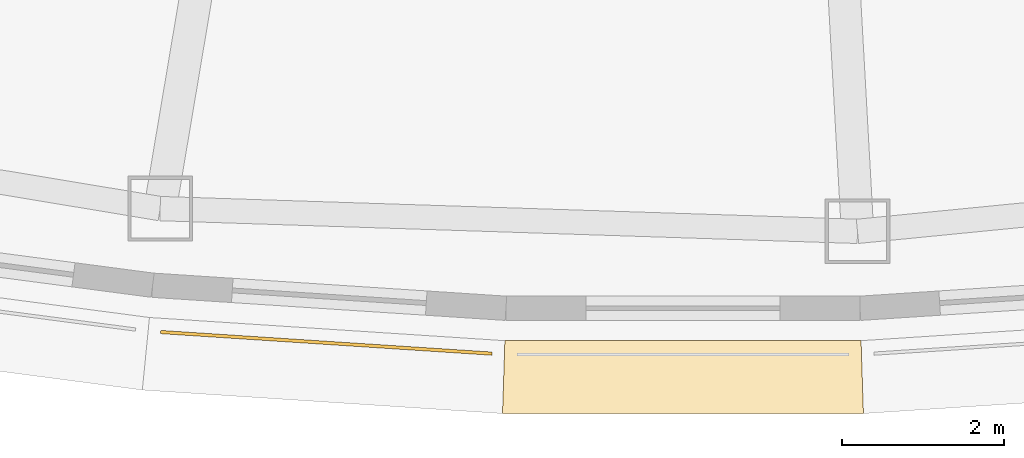
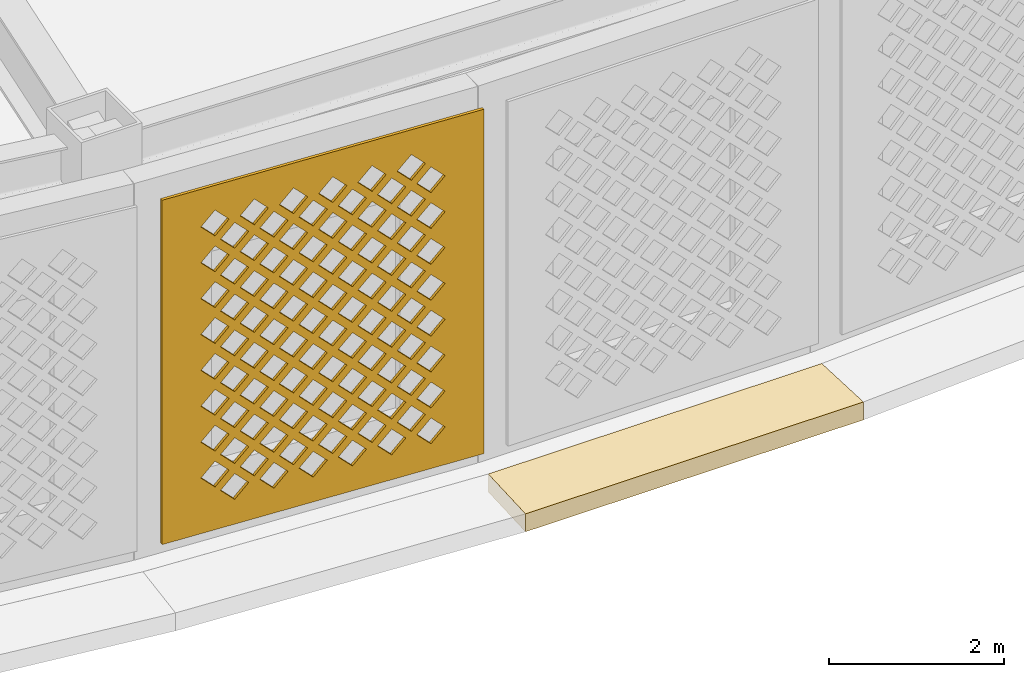
# One storey, part 51 of 69: 2 coverings.
"""IFC4 building model written with IfcOpenShell, lengths in metres."""

import ifcopenshell
import ifcopenshell.guid

model = None  # the IFC model being written
_history = None  # IfcOwnerHistory: only IFC2X3 demands one
_inside = {}  # id of a spatial element -> (the spatial element, [elements in it])
_under = {}  # id of a project, library or spatial element -> (it, [spatial elements below it])
_declared = {}  # id of a project -> (the project, [libraries it declares])
_typed = {}  # id of a type object -> (the type object, [elements of that type])
_made_of = {}  # id of a material, layer set ... -> (it, [elements and type objects made of it])


def new_model(schema):
    """Start an empty IFC model of exactly this schema.

    Asked for "IFC4X3", IfcOpenShell would pick the latest addendum, in which some entities
    have other attributes; the version numbers below select the first issue.
    IFC2X3 requires an IfcOwnerHistory on every rooted entity: one is made here for all.
    """
    global model, _history
    if schema == "IFC4X3":
        model = ifcopenshell.file(schema_version=(4, 3, 0, 0))
    else:
        model = ifcopenshell.file(schema=schema)
    _inside.clear()
    _under.clear()
    _declared.clear()
    _typed.clear()
    _made_of.clear()
    _history = None
    if model.schema == "IFC2X3":
        org = make("IfcOrganization", Name="unknown")
        user = make(
            "IfcPersonAndOrganization",
            ThePerson=make("IfcPerson", FamilyName="unknown"),
            TheOrganization=org,
        )
        app = make(
            "IfcApplication",
            ApplicationDeveloper=org,
            Version="unknown",
            ApplicationFullName="unknown",
            ApplicationIdentifier="unknown",
        )
        _history = make(
            "IfcOwnerHistory",
            OwningUser=user,
            OwningApplication=app,
            ChangeAction="ADDED",
            CreationDate=0,
        )
    return model


def make(cls, **values):
    """One entity of the class cls with the attributes given. An attribute that is None is left unset."""
    return model.create_entity(
        cls, **{name: value for name, value in values.items() if value is not None}
    )


def rooted(cls, **values):
    """An entity with a GlobalId (a new one), such as an element, a storey or a relation."""
    return make(cls, GlobalId=ifcopenshell.guid.new(), OwnerHistory=_history, **values)


def si_unit(unit_type, name, prefix=None):
    """IfcSIUnit, for example si_unit("LENGTHUNIT", "METRE", prefix="MILLI")."""
    return make("IfcSIUnit", UnitType=unit_type, Prefix=prefix, Name=name)


def assignment(units):
    """IfcUnitAssignment: the units of a project."""
    return None if units is None else make("IfcUnitAssignment", Units=units)


def point(xyz):
    """IfcCartesianPoint."""
    return None if xyz is None else make("IfcCartesianPoint", Coordinates=xyz)


def direction(xyz):
    """IfcDirection."""
    return None if xyz is None else make("IfcDirection", DirectionRatios=xyz)


def frame(location, z_axis=None, x_axis=None):
    """IfcAxis2Placement3D, a coordinate frame: its origin and axes. An axis left out is left unset."""
    return make(
        "IfcAxis2Placement3D",
        Location=point(location),
        Axis=direction(z_axis),
        RefDirection=direction(x_axis),
    )


def origin():
    """The frame at (0, 0, 0) with its axes left unset."""
    return frame((0.0, 0.0, 0.0))


def place(relative_to, where):
    """IfcLocalPlacement: puts the frame where relative to a parent placement (None: the world)."""
    return make(
        "IfcLocalPlacement", PlacementRelTo=relative_to, RelativePlacement=where
    )


def context(
    kind, dimensions, precision=None, world=None, true_north=None, identifier=None
):
    """IfcGeometricRepresentationContext, for example the 3D "Model" context."""
    return make(
        "IfcGeometricRepresentationContext",
        ContextIdentifier=identifier,
        ContextType=kind,
        CoordinateSpaceDimension=dimensions,
        Precision=precision,
        WorldCoordinateSystem=world,
        TrueNorth=true_north,
    )


def subcontext(parent, identifier, kind, view, scale=None):
    """IfcGeometricRepresentationSubContext, for example "Body" below "Model"."""
    return make(
        "IfcGeometricRepresentationSubContext",
        ContextIdentifier=identifier,
        ContextType=kind,
        ParentContext=parent,
        TargetScale=scale,
        TargetView=view,
    )


def project(units=None, contexts=None):
    """IfcProject with its units and contexts."""
    return rooted(
        "IfcProject",
        Name="project",
        RepresentationContexts=contexts,
        UnitsInContext=assignment(units),
    )


def spatial(cls, under=None, at=None, **own):
    """A site, building, storey or space (cls), placed at a placement, below another one or the project."""
    s = rooted(cls, ObjectPlacement=at, **own)
    if under is not None:
        _under.setdefault(under.id(), (under, []))[1].append(s)
    return s


def polyline(points):
    """IfcPolyline through the points."""
    return make("IfcPolyline", Points=[point(p) for p in points])


def outline(outer, holes=None, kind="AREA"):
    """IfcArbitraryClosedProfileDef: a profile drawn as a closed curve; with holes, ...WithVoids."""
    if holes is None:
        return make("IfcArbitraryClosedProfileDef", ProfileType=kind, OuterCurve=outer)
    return make(
        "IfcArbitraryProfileDefWithVoids",
        ProfileType=kind,
        OuterCurve=outer,
        InnerCurves=holes,
    )


def extrude(swept, where, along, depth):
    """IfcExtrudedAreaSolid: the profile swept, set in the frame where, extruded along a direction by depth."""
    return make(
        "IfcExtrudedAreaSolid",
        SweptArea=swept,
        Position=where,
        ExtrudedDirection=direction(along),
        Depth=depth,
    )


def shape(context_of_items, identifier, shape_type, items):
    """IfcShapeRepresentation: the items that make up one representation, for example the "Body"."""
    return make(
        "IfcShapeRepresentation",
        ContextOfItems=context_of_items,
        RepresentationIdentifier=identifier,
        RepresentationType=shape_type,
        Items=items,
    )


def material(Name=None, Category=None):
    """IfcMaterial."""
    return make("IfcMaterial", Name=Name, Category=Category)


def layer(
    of_material, thickness, ventilated=None, Name=None, Category=None, Priority=None
):
    """IfcMaterialLayer: one layer of a wall or slab, of a material (None: an air gap)."""
    return make(
        "IfcMaterialLayer",
        Material=of_material,
        LayerThickness=thickness,
        IsVentilated=ventilated,
        Name=Name,
        Category=Category,
        Priority=Priority,
    )


def layer_set(layers, Name=None):
    """IfcMaterialLayerSet."""
    return make("IfcMaterialLayerSet", MaterialLayers=layers, LayerSetName=Name)


def made_of(thing, what):
    """Note that an element or type object is made of a material, layer set ...; save() writes the relation."""
    if what is not None:
        _made_of.setdefault(what.id(), (what, []))[1].append(thing)
    return thing


def type_object(cls, material=None, **own):
    """A type object (cls), such as IfcWallType, which elements share."""
    return made_of(rooted(cls, **own), material)


def element(
    cls,
    number,
    at=None,
    inside=None,
    cuts=None,
    type_object=None,
    material=None,
    context=None,
    identifier="Body",
    shape_type=None,
    held_by="IfcProductDefinitionShape",
    body=None,
    shapes=None,
    **own,
):
    """One element of the class cls, such as IfcWall. Its Tag is "e" and its number.

    at: its placement. inside: the storey or other place that contains it. cuts: it is an
    opening in that element (IfcRelVoidsElement). A single representation is given by context,
    identifier, shape_type and body (its items); several are given by shapes. held_by: the class
    of the entity that holds the representations. save() writes the other relations.
    """
    e = rooted(cls, Tag="e%d" % number, ObjectPlacement=at, **own)
    if body is not None:
        shapes = [shape(context, identifier, shape_type, body)]
    if shapes is not None:
        e.Representation = make(held_by, Representations=shapes)
    if inside is not None:
        _inside.setdefault(inside.id(), (inside, []))[1].append(e)
    if cuts is not None:
        rooted(
            "IfcRelVoidsElement", RelatingBuildingElement=cuts, RelatedOpeningElement=e
        )
    if type_object is not None:
        _typed.setdefault(type_object.id(), (type_object, []))[1].append(e)
    return made_of(e, material)


def aggregate(whole, parts):
    """IfcRelAggregates: a whole, such as a stair, and the parts it consists of."""
    return rooted("IfcRelAggregates", RelatingObject=whole, RelatedObjects=parts)


def save(model, path):
    """Write the relations noted so far, then the file.

    IfcRelAggregates (storeys below a building ...), IfcRelContainedInSpatialStructure (elements
    in a storey), IfcRelDefinesByType, IfcRelAssociatesMaterial and IfcRelDeclares: one each for
    every whole, place, type object, material and project.
    """
    for whole, parts in _under.values():
        aggregate(whole, parts)
    for where, things in _inside.values():
        rooted(
            "IfcRelContainedInSpatialStructure",
            RelatedElements=things,
            RelatingStructure=where,
        )
    for kind, things in _typed.values():
        rooted("IfcRelDefinesByType", RelatedObjects=things, RelatingType=kind)
    for what, things in _made_of.values():
        rooted("IfcRelAssociatesMaterial", RelatedObjects=things, RelatingMaterial=what)
    for by, libraries in _declared.values():
        rooted("IfcRelDeclares", RelatingContext=by, RelatedDefinitions=libraries)
    model.write(path)


model = new_model("IFC4")

# Units and contexts
model_context = context("Model", 3, precision=1e-05, world=origin(), true_north=direction((0.0, 1.0)))
body_context = subcontext(model_context, "Body", "Model", "MODEL_VIEW")
ifc_project = project(units=[si_unit("LENGTHUNIT", "METRE"), si_unit("AREAUNIT", "SQUARE_METRE"), si_unit("VOLUMEUNIT", "CUBIC_METRE"), si_unit("PLANEANGLEUNIT", "RADIAN"), si_unit("MASSUNIT", "GRAM", prefix="KILO")], contexts=[model_context])

# Site, building, storey
site_placement = place(None, origin())
site = spatial("IfcSite", under=ifc_project, at=site_placement, CompositionType="ELEMENT")
building_placement = place(site_placement, origin())
building = spatial("IfcBuilding", under=site, at=building_placement, Name="Noorbagh Ring Tower", CompositionType="ELEMENT")
storey_placement = place(building_placement, frame((0.0, 0.0, 19.5)))
storey = spatial("IfcBuildingStorey", under=building, at=storey_placement, Name="L03", CompositionType="ELEMENT", Elevation=19.5)

# Coverings
ifc_material_1 = material(Name="Red sandstone eave", Category="masonry")
covering_type_1 = type_object("IfcCoveringType", Name="STY-CHHAJJA", PredefinedType="USERDEFINED", material=ifc_material_1)
covering_1_placement = place(storey_placement, frame((0.0, 0.0, -0.25)))
element("IfcCovering", 1, at=covering_1_placement, inside=storey, type_object=covering_type_1, Name="Chhajja eave", ObjectType="CHHAJJA", PredefinedType="USERDEFINED", context=body_context, shape_type="SweptSolid", body=[
    extrude(outline(polyline([(-2.198486328125, -39.964111328125), (2.198486328125, -39.964111328125), (2.227783203125, -40.8642578125), (-2.227783203125, -40.8642578125), (-2.198486328125, -39.964111328125)])), origin(), (0.0, 0.0, 1.0), 0.25),
])
ifc_material_2 = material(Name="Red sandstone jali", Category="masonry")
ifc_layer = layer(ifc_material_2, 0.0400390625)
ifc_layer_set = layer_set([ifc_layer], Name="Red sandstone jali")
covering_type_2 = type_object("IfcCoveringType", Name="STY-JALI", PredefinedType="USERDEFINED", material=ifc_layer_set)
covering_2_placement = place(storey_placement, frame((-6.448974609375, -39.877197265625, 0.449951171875), z_axis=(-0.065130734288, -0.997876739608, 0.0), x_axis=(0.997876739608, -0.065130734288, 0.0)))
element("IfcCovering", 2, at=covering_2_placement, inside=storey, type_object=covering_type_2, Name="Jali screen", ObjectType="SCREEN", PredefinedType="USERDEFINED", context=body_context, shape_type="SweptSolid", body=[
    extrude(outline(polyline([(0.0, 0.0), (4.09716796875, 0.0), (4.09716796875, 4.800048828125), (0.0, 4.800048828125), (0.0, 0.0)]), holes=[polyline([(0.743408203125, 0.52490234375), (0.923583984375, 0.344970703125), (1.103515625, 0.52490234375), (0.923583984375, 0.705078125), (0.743408203125, 0.52490234375)]), polyline([(1.243408203125, 0.52490234375), (1.423583984375, 0.344970703125), (1.603515625, 0.52490234375), (1.423583984375, 0.705078125), (1.243408203125, 0.52490234375)]), polyline([(1.743408203125, 0.52490234375), (1.923583984375, 0.344970703125), (2.103515625, 0.52490234375), (1.923583984375, 0.705078125), (1.743408203125, 0.52490234375)]), polyline([(2.243408203125, 0.52490234375), (2.423583984375, 0.344970703125), (2.603515625, 0.52490234375), (2.423583984375, 0.705078125), (2.243408203125, 0.52490234375)]), polyline([(2.743408203125, 0.52490234375), (2.923583984375, 0.344970703125), (3.103515625, 0.52490234375), (2.923583984375, 0.705078125), (2.743408203125, 0.52490234375)]), polyline([(3.243408203125, 0.52490234375), (3.423583984375, 0.344970703125), (3.603515625, 0.52490234375), (3.423583984375, 0.705078125), (3.243408203125, 0.52490234375)]), polyline([(0.493408203125, 0.77490234375), (0.673583984375, 0.594970703125), (0.853515625, 0.77490234375), (0.673583984375, 0.955078125), (0.493408203125, 0.77490234375)]), polyline([(0.993408203125, 0.77490234375), (1.173583984375, 0.594970703125), (1.353515625, 0.77490234375), (1.173583984375, 0.955078125), (0.993408203125, 0.77490234375)]), polyline([(1.493408203125, 0.77490234375), (1.673583984375, 0.594970703125), (1.853515625, 0.77490234375), (1.673583984375, 0.955078125), (1.493408203125, 0.77490234375)]), polyline([(1.993408203125, 0.77490234375), (2.173583984375, 0.594970703125), (2.353515625, 0.77490234375), (2.173583984375, 0.955078125), (1.993408203125, 0.77490234375)]), polyline([(2.493408203125, 0.77490234375), (2.673583984375, 0.594970703125), (2.853515625, 0.77490234375), (2.673583984375, 0.955078125), (2.493408203125, 0.77490234375)]), polyline([(2.993408203125, 0.77490234375), (3.173583984375, 0.594970703125), (3.353515625, 0.77490234375), (3.173583984375, 0.955078125), (2.993408203125, 0.77490234375)]), polyline([(0.743408203125, 1.02490234375), (0.923583984375, 0.844970703125), (1.103515625, 1.02490234375), (0.923583984375, 1.205078125), (0.743408203125, 1.02490234375)]), polyline([(1.243408203125, 1.02490234375), (1.423583984375, 0.844970703125), (1.603515625, 1.02490234375), (1.423583984375, 1.205078125), (1.243408203125, 1.02490234375)]), polyline([(1.743408203125, 1.02490234375), (1.923583984375, 0.844970703125), (2.103515625, 1.02490234375), (1.923583984375, 1.205078125), (1.743408203125, 1.02490234375)]), polyline([(2.243408203125, 1.02490234375), (2.423583984375, 0.844970703125), (2.603515625, 1.02490234375), (2.423583984375, 1.205078125), (2.243408203125, 1.02490234375)]), polyline([(2.743408203125, 1.02490234375), (2.923583984375, 0.844970703125), (3.103515625, 1.02490234375), (2.923583984375, 1.205078125), (2.743408203125, 1.02490234375)]), polyline([(3.243408203125, 1.02490234375), (3.423583984375, 0.844970703125), (3.603515625, 1.02490234375), (3.423583984375, 1.205078125), (3.243408203125, 1.02490234375)]), polyline([(0.493408203125, 1.27490234375), (0.673583984375, 1.094970703125), (0.853515625, 1.27490234375), (0.673583984375, 1.455078125), (0.493408203125, 1.27490234375)]), polyline([(0.993408203125, 1.27490234375), (1.173583984375, 1.094970703125), (1.353515625, 1.27490234375), (1.173583984375, 1.455078125), (0.993408203125, 1.27490234375)]), polyline([(1.493408203125, 1.27490234375), (1.673583984375, 1.094970703125), (1.853515625, 1.27490234375), (1.673583984375, 1.455078125), (1.493408203125, 1.27490234375)]), polyline([(1.993408203125, 1.27490234375), (2.173583984375, 1.094970703125), (2.353515625, 1.27490234375), (2.173583984375, 1.455078125), (1.993408203125, 1.27490234375)]), polyline([(2.493408203125, 1.27490234375), (2.673583984375, 1.094970703125), (2.853515625, 1.27490234375), (2.673583984375, 1.455078125), (2.493408203125, 1.27490234375)]), polyline([(2.993408203125, 1.27490234375), (3.173583984375, 1.094970703125), (3.353515625, 1.27490234375), (3.173583984375, 1.455078125), (2.993408203125, 1.27490234375)]), polyline([(0.743408203125, 1.52490234375), (0.923583984375, 1.344970703125), (1.103515625, 1.52490234375), (0.923583984375, 1.705078125), (0.743408203125, 1.52490234375)]), polyline([(1.243408203125, 1.52490234375), (1.423583984375, 1.344970703125), (1.603515625, 1.52490234375), (1.423583984375, 1.705078125), (1.243408203125, 1.52490234375)]), polyline([(1.743408203125, 1.52490234375), (1.923583984375, 1.344970703125), (2.103515625, 1.52490234375), (1.923583984375, 1.705078125), (1.743408203125, 1.52490234375)]), polyline([(2.243408203125, 1.52490234375), (2.423583984375, 1.344970703125), (2.603515625, 1.52490234375), (2.423583984375, 1.705078125), (2.243408203125, 1.52490234375)]), polyline([(2.743408203125, 1.52490234375), (2.923583984375, 1.344970703125), (3.103515625, 1.52490234375), (2.923583984375, 1.705078125), (2.743408203125, 1.52490234375)]), polyline([(3.243408203125, 1.52490234375), (3.423583984375, 1.344970703125), (3.603515625, 1.52490234375), (3.423583984375, 1.705078125), (3.243408203125, 1.52490234375)]), polyline([(0.493408203125, 1.77490234375), (0.673583984375, 1.594970703125), (0.853515625, 1.77490234375), (0.673583984375, 1.955078125), (0.493408203125, 1.77490234375)]), polyline([(0.993408203125, 1.77490234375), (1.173583984375, 1.594970703125), (1.353515625, 1.77490234375), (1.173583984375, 1.955078125), (0.993408203125, 1.77490234375)]), polyline([(1.493408203125, 1.77490234375), (1.673583984375, 1.594970703125), (1.853515625, 1.77490234375), (1.673583984375, 1.955078125), (1.493408203125, 1.77490234375)]), polyline([(1.993408203125, 1.77490234375), (2.173583984375, 1.594970703125), (2.353515625, 1.77490234375), (2.173583984375, 1.955078125), (1.993408203125, 1.77490234375)]), polyline([(2.493408203125, 1.77490234375), (2.673583984375, 1.594970703125), (2.853515625, 1.77490234375), (2.673583984375, 1.955078125), (2.493408203125, 1.77490234375)]), polyline([(2.993408203125, 1.77490234375), (3.173583984375, 1.594970703125), (3.353515625, 1.77490234375), (3.173583984375, 1.955078125), (2.993408203125, 1.77490234375)]), polyline([(0.743408203125, 2.02490234375), (0.923583984375, 1.844970703125), (1.103515625, 2.02490234375), (0.923583984375, 2.205078125), (0.743408203125, 2.02490234375)]), polyline([(1.243408203125, 2.02490234375), (1.423583984375, 1.844970703125), (1.603515625, 2.02490234375), (1.423583984375, 2.205078125), (1.243408203125, 2.02490234375)]), polyline([(1.743408203125, 2.02490234375), (1.923583984375, 1.844970703125), (2.103515625, 2.02490234375), (1.923583984375, 2.205078125), (1.743408203125, 2.02490234375)]), polyline([(2.243408203125, 2.02490234375), (2.423583984375, 1.844970703125), (2.603515625, 2.02490234375), (2.423583984375, 2.205078125), (2.243408203125, 2.02490234375)]), polyline([(2.743408203125, 2.02490234375), (2.923583984375, 1.844970703125), (3.103515625, 2.02490234375), (2.923583984375, 2.205078125), (2.743408203125, 2.02490234375)]), polyline([(3.243408203125, 2.02490234375), (3.423583984375, 1.844970703125), (3.603515625, 2.02490234375), (3.423583984375, 2.205078125), (3.243408203125, 2.02490234375)]), polyline([(0.493408203125, 2.27490234375), (0.673583984375, 2.094970703125), (0.853515625, 2.27490234375), (0.673583984375, 2.455078125), (0.493408203125, 2.27490234375)]), polyline([(0.993408203125, 2.27490234375), (1.173583984375, 2.094970703125), (1.353515625, 2.27490234375), (1.173583984375, 2.455078125), (0.993408203125, 2.27490234375)]), polyline([(1.493408203125, 2.27490234375), (1.673583984375, 2.094970703125), (1.853515625, 2.27490234375), (1.673583984375, 2.455078125), (1.493408203125, 2.27490234375)]), polyline([(1.993408203125, 2.27490234375), (2.173583984375, 2.094970703125), (2.353515625, 2.27490234375), (2.173583984375, 2.455078125), (1.993408203125, 2.27490234375)]), polyline([(2.493408203125, 2.27490234375), (2.673583984375, 2.094970703125), (2.853515625, 2.27490234375), (2.673583984375, 2.455078125), (2.493408203125, 2.27490234375)]), polyline([(2.993408203125, 2.27490234375), (3.173583984375, 2.094970703125), (3.353515625, 2.27490234375), (3.173583984375, 2.455078125), (2.993408203125, 2.27490234375)]), polyline([(0.743408203125, 2.52490234375), (0.923583984375, 2.344970703125), (1.103515625, 2.52490234375), (0.923583984375, 2.705078125), (0.743408203125, 2.52490234375)]), polyline([(1.243408203125, 2.52490234375), (1.423583984375, 2.344970703125), (1.603515625, 2.52490234375), (1.423583984375, 2.705078125), (1.243408203125, 2.52490234375)]), polyline([(1.743408203125, 2.52490234375), (1.923583984375, 2.344970703125), (2.103515625, 2.52490234375), (1.923583984375, 2.705078125), (1.743408203125, 2.52490234375)]), polyline([(2.243408203125, 2.52490234375), (2.423583984375, 2.344970703125), (2.603515625, 2.52490234375), (2.423583984375, 2.705078125), (2.243408203125, 2.52490234375)]), polyline([(2.743408203125, 2.52490234375), (2.923583984375, 2.344970703125), (3.103515625, 2.52490234375), (2.923583984375, 2.705078125), (2.743408203125, 2.52490234375)]), polyline([(3.243408203125, 2.52490234375), (3.423583984375, 2.344970703125), (3.603515625, 2.52490234375), (3.423583984375, 2.705078125), (3.243408203125, 2.52490234375)]), polyline([(0.493408203125, 2.77490234375), (0.673583984375, 2.594970703125), (0.853515625, 2.77490234375), (0.673583984375, 2.955078125), (0.493408203125, 2.77490234375)]), polyline([(0.993408203125, 2.77490234375), (1.173583984375, 2.594970703125), (1.353515625, 2.77490234375), (1.173583984375, 2.955078125), (0.993408203125, 2.77490234375)]), polyline([(1.493408203125, 2.77490234375), (1.673583984375, 2.594970703125), (1.853515625, 2.77490234375), (1.673583984375, 2.955078125), (1.493408203125, 2.77490234375)]), polyline([(1.993408203125, 2.77490234375), (2.173583984375, 2.594970703125), (2.353515625, 2.77490234375), (2.173583984375, 2.955078125), (1.993408203125, 2.77490234375)]), polyline([(2.493408203125, 2.77490234375), (2.673583984375, 2.594970703125), (2.853515625, 2.77490234375), (2.673583984375, 2.955078125), (2.493408203125, 2.77490234375)]), polyline([(2.993408203125, 2.77490234375), (3.173583984375, 2.594970703125), (3.353515625, 2.77490234375), (3.173583984375, 2.955078125), (2.993408203125, 2.77490234375)]), polyline([(0.743408203125, 3.02490234375), (0.923583984375, 2.844970703125), (1.103515625, 3.02490234375), (0.923583984375, 3.205078125), (0.743408203125, 3.02490234375)]), polyline([(1.243408203125, 3.02490234375), (1.423583984375, 2.844970703125), (1.603515625, 3.02490234375), (1.423583984375, 3.205078125), (1.243408203125, 3.02490234375)]), polyline([(1.743408203125, 3.02490234375), (1.923583984375, 2.844970703125), (2.103515625, 3.02490234375), (1.923583984375, 3.205078125), (1.743408203125, 3.02490234375)]), polyline([(2.243408203125, 3.02490234375), (2.423583984375, 2.844970703125), (2.603515625, 3.02490234375), (2.423583984375, 3.205078125), (2.243408203125, 3.02490234375)]), polyline([(2.743408203125, 3.02490234375), (2.923583984375, 2.844970703125), (3.103515625, 3.02490234375), (2.923583984375, 3.205078125), (2.743408203125, 3.02490234375)]), polyline([(3.243408203125, 3.02490234375), (3.423583984375, 2.844970703125), (3.603515625, 3.02490234375), (3.423583984375, 3.205078125), (3.243408203125, 3.02490234375)]), polyline([(0.493408203125, 3.27490234375), (0.673583984375, 3.094970703125), (0.853515625, 3.27490234375), (0.673583984375, 3.455078125), (0.493408203125, 3.27490234375)]), polyline([(0.993408203125, 3.27490234375), (1.173583984375, 3.094970703125), (1.353515625, 3.27490234375), (1.173583984375, 3.455078125), (0.993408203125, 3.27490234375)]), polyline([(1.493408203125, 3.27490234375), (1.673583984375, 3.094970703125), (1.853515625, 3.27490234375), (1.673583984375, 3.455078125), (1.493408203125, 3.27490234375)]), polyline([(1.993408203125, 3.27490234375), (2.173583984375, 3.094970703125), (2.353515625, 3.27490234375), (2.173583984375, 3.455078125), (1.993408203125, 3.27490234375)]), polyline([(2.493408203125, 3.27490234375), (2.673583984375, 3.094970703125), (2.853515625, 3.27490234375), (2.673583984375, 3.455078125), (2.493408203125, 3.27490234375)]), polyline([(2.993408203125, 3.27490234375), (3.173583984375, 3.094970703125), (3.353515625, 3.27490234375), (3.173583984375, 3.455078125), (2.993408203125, 3.27490234375)]), polyline([(0.743408203125, 3.52490234375), (0.923583984375, 3.344970703125), (1.103515625, 3.52490234375), (0.923583984375, 3.705078125), (0.743408203125, 3.52490234375)]), polyline([(1.243408203125, 3.52490234375), (1.423583984375, 3.344970703125), (1.603515625, 3.52490234375), (1.423583984375, 3.705078125), (1.243408203125, 3.52490234375)]), polyline([(1.743408203125, 3.52490234375), (1.923583984375, 3.344970703125), (2.103515625, 3.52490234375), (1.923583984375, 3.705078125), (1.743408203125, 3.52490234375)]), polyline([(2.243408203125, 3.52490234375), (2.423583984375, 3.344970703125), (2.603515625, 3.52490234375), (2.423583984375, 3.705078125), (2.243408203125, 3.52490234375)]), polyline([(2.743408203125, 3.52490234375), (2.923583984375, 3.344970703125), (3.103515625, 3.52490234375), (2.923583984375, 3.705078125), (2.743408203125, 3.52490234375)]), polyline([(3.243408203125, 3.52490234375), (3.423583984375, 3.344970703125), (3.603515625, 3.52490234375), (3.423583984375, 3.705078125), (3.243408203125, 3.52490234375)]), polyline([(0.493408203125, 3.77490234375), (0.673583984375, 3.594970703125), (0.853515625, 3.77490234375), (0.673583984375, 3.955078125), (0.493408203125, 3.77490234375)]), polyline([(0.993408203125, 3.77490234375), (1.173583984375, 3.594970703125), (1.353515625, 3.77490234375), (1.173583984375, 3.955078125), (0.993408203125, 3.77490234375)]), polyline([(1.493408203125, 3.77490234375), (1.673583984375, 3.594970703125), (1.853515625, 3.77490234375), (1.673583984375, 3.955078125), (1.493408203125, 3.77490234375)]), polyline([(1.993408203125, 3.77490234375), (2.173583984375, 3.594970703125), (2.353515625, 3.77490234375), (2.173583984375, 3.955078125), (1.993408203125, 3.77490234375)]), polyline([(2.493408203125, 3.77490234375), (2.673583984375, 3.594970703125), (2.853515625, 3.77490234375), (2.673583984375, 3.955078125), (2.493408203125, 3.77490234375)]), polyline([(2.993408203125, 3.77490234375), (3.173583984375, 3.594970703125), (3.353515625, 3.77490234375), (3.173583984375, 3.955078125), (2.993408203125, 3.77490234375)]), polyline([(0.743408203125, 4.02490234375), (0.923583984375, 3.844970703125), (1.103515625, 4.02490234375), (0.923583984375, 4.205078125), (0.743408203125, 4.02490234375)]), polyline([(1.243408203125, 4.02490234375), (1.423583984375, 3.844970703125), (1.603515625, 4.02490234375), (1.423583984375, 4.205078125), (1.243408203125, 4.02490234375)]), polyline([(1.743408203125, 4.02490234375), (1.923583984375, 3.844970703125), (2.103515625, 4.02490234375), (1.923583984375, 4.205078125), (1.743408203125, 4.02490234375)]), polyline([(2.243408203125, 4.02490234375), (2.423583984375, 3.844970703125), (2.603515625, 4.02490234375), (2.423583984375, 4.205078125), (2.243408203125, 4.02490234375)]), polyline([(2.743408203125, 4.02490234375), (2.923583984375, 3.844970703125), (3.103515625, 4.02490234375), (2.923583984375, 4.205078125), (2.743408203125, 4.02490234375)]), polyline([(3.243408203125, 4.02490234375), (3.423583984375, 3.844970703125), (3.603515625, 4.02490234375), (3.423583984375, 4.205078125), (3.243408203125, 4.02490234375)]), polyline([(0.493408203125, 4.27490234375), (0.673583984375, 4.094970703125), (0.853515625, 4.27490234375), (0.673583984375, 4.455078125), (0.493408203125, 4.27490234375)]), polyline([(0.993408203125, 4.27490234375), (1.173583984375, 4.094970703125), (1.353515625, 4.27490234375), (1.173583984375, 4.455078125), (0.993408203125, 4.27490234375)]), polyline([(1.493408203125, 4.27490234375), (1.673583984375, 4.094970703125), (1.853515625, 4.27490234375), (1.673583984375, 4.455078125), (1.493408203125, 4.27490234375)]), polyline([(1.993408203125, 4.27490234375), (2.173583984375, 4.094970703125), (2.353515625, 4.27490234375), (2.173583984375, 4.455078125), (1.993408203125, 4.27490234375)]), polyline([(2.493408203125, 4.27490234375), (2.673583984375, 4.094970703125), (2.853515625, 4.27490234375), (2.673583984375, 4.455078125), (2.493408203125, 4.27490234375)]), polyline([(2.993408203125, 4.27490234375), (3.173583984375, 4.094970703125), (3.353515625, 4.27490234375), (3.173583984375, 4.455078125), (2.993408203125, 4.27490234375)])]), origin(), (0.0, 0.0, -1.0), 0.0400390625),
])

save(model, "model.ifc")
